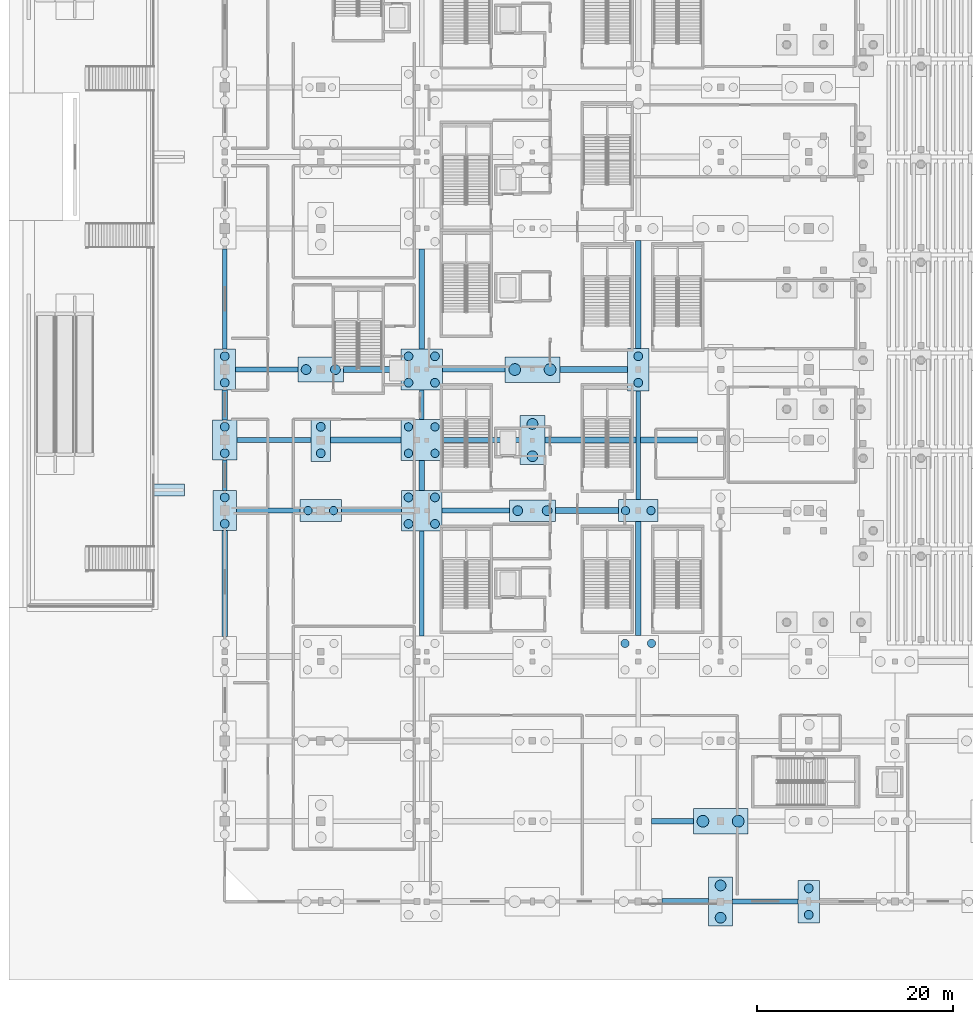
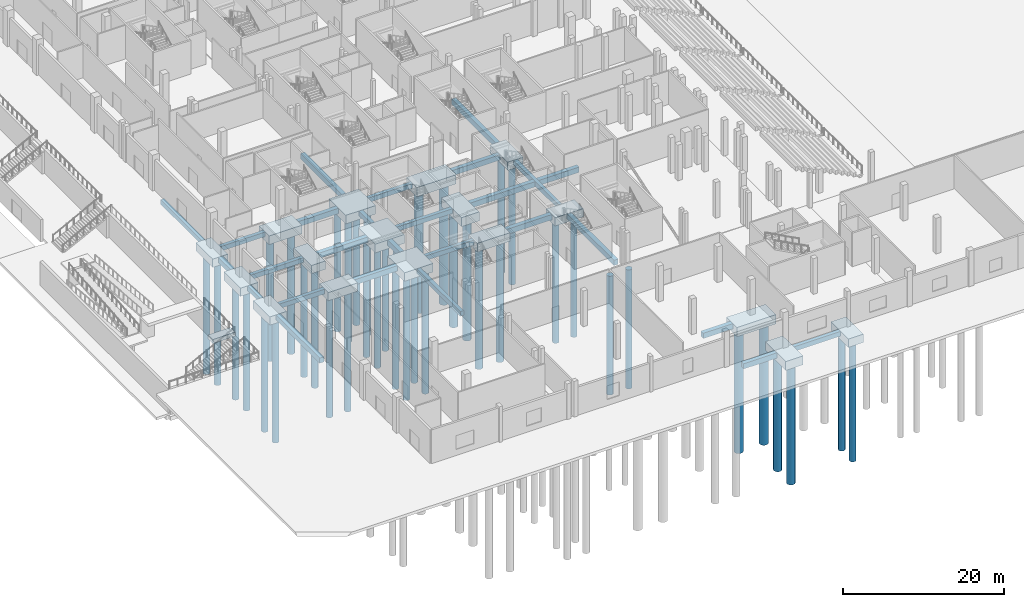
# One storey, part 2 of 89: 44 footings, 42 piles.
"""IFC4 building model written with IfcOpenShell, lengths in metres."""

import ifcopenshell
import ifcopenshell.guid

model = None  # the IFC model being written
_history = None  # IfcOwnerHistory: only IFC2X3 demands one
_inside = {}  # id of a spatial element -> (the spatial element, [elements in it])
_under = {}  # id of a project, library or spatial element -> (it, [spatial elements below it])
_declared = {}  # id of a project -> (the project, [libraries it declares])
_typed = {}  # id of a type object -> (the type object, [elements of that type])
_made_of = {}  # id of a material, layer set ... -> (it, [elements and type objects made of it])


def new_model(schema):
    """Start an empty IFC model of exactly this schema.

    Asked for "IFC4X3", IfcOpenShell would pick the latest addendum, in which some entities
    have other attributes; the version numbers below select the first issue.
    IFC2X3 requires an IfcOwnerHistory on every rooted entity: one is made here for all.
    """
    global model, _history
    if schema == "IFC4X3":
        model = ifcopenshell.file(schema_version=(4, 3, 0, 0))
    else:
        model = ifcopenshell.file(schema=schema)
    _inside.clear()
    _under.clear()
    _declared.clear()
    _typed.clear()
    _made_of.clear()
    _history = None
    if model.schema == "IFC2X3":
        org = make("IfcOrganization", Name="unknown")
        user = make(
            "IfcPersonAndOrganization",
            ThePerson=make("IfcPerson", FamilyName="unknown"),
            TheOrganization=org,
        )
        app = make(
            "IfcApplication",
            ApplicationDeveloper=org,
            Version="unknown",
            ApplicationFullName="unknown",
            ApplicationIdentifier="unknown",
        )
        _history = make(
            "IfcOwnerHistory",
            OwningUser=user,
            OwningApplication=app,
            ChangeAction="ADDED",
            CreationDate=0,
        )
    return model


def make(cls, **values):
    """One entity of the class cls with the attributes given. An attribute that is None is left unset."""
    return model.create_entity(
        cls, **{name: value for name, value in values.items() if value is not None}
    )


def rooted(cls, **values):
    """An entity with a GlobalId (a new one), such as an element, a storey or a relation."""
    return make(cls, GlobalId=ifcopenshell.guid.new(), OwnerHistory=_history, **values)


def si_unit(unit_type, name, prefix=None):
    """IfcSIUnit, for example si_unit("LENGTHUNIT", "METRE", prefix="MILLI")."""
    return make("IfcSIUnit", UnitType=unit_type, Prefix=prefix, Name=name)


def assignment(units):
    """IfcUnitAssignment: the units of a project."""
    return None if units is None else make("IfcUnitAssignment", Units=units)


def point(xyz):
    """IfcCartesianPoint."""
    return None if xyz is None else make("IfcCartesianPoint", Coordinates=xyz)


def direction(xyz):
    """IfcDirection."""
    return None if xyz is None else make("IfcDirection", DirectionRatios=xyz)


def frame(location, z_axis=None, x_axis=None):
    """IfcAxis2Placement3D, a coordinate frame: its origin and axes. An axis left out is left unset."""
    return make(
        "IfcAxis2Placement3D",
        Location=point(location),
        Axis=direction(z_axis),
        RefDirection=direction(x_axis),
    )


def frame_2d(location, x_axis=None):
    """IfcAxis2Placement2D, a coordinate frame in the plane: its origin and x axis."""
    return make(
        "IfcAxis2Placement2D", Location=point(location), RefDirection=direction(x_axis)
    )


def origin():
    """The frame at (0, 0, 0) with its axes left unset."""
    return frame((0.0, 0.0, 0.0))


def origin_2d():
    """The frame at (0, 0) in the plane with its x axis left unset."""
    return frame_2d((0.0, 0.0))


def place(relative_to, where):
    """IfcLocalPlacement: puts the frame where relative to a parent placement (None: the world)."""
    return make(
        "IfcLocalPlacement", PlacementRelTo=relative_to, RelativePlacement=where
    )


def context(
    kind, dimensions, precision=None, world=None, true_north=None, identifier=None
):
    """IfcGeometricRepresentationContext, for example the 3D "Model" context."""
    return make(
        "IfcGeometricRepresentationContext",
        ContextIdentifier=identifier,
        ContextType=kind,
        CoordinateSpaceDimension=dimensions,
        Precision=precision,
        WorldCoordinateSystem=world,
        TrueNorth=true_north,
    )


def subcontext(parent, identifier, kind, view, scale=None):
    """IfcGeometricRepresentationSubContext, for example "Body" below "Model"."""
    return make(
        "IfcGeometricRepresentationSubContext",
        ContextIdentifier=identifier,
        ContextType=kind,
        ParentContext=parent,
        TargetScale=scale,
        TargetView=view,
    )


def project(units=None, contexts=None):
    """IfcProject with its units and contexts."""
    return rooted(
        "IfcProject",
        Name="project",
        RepresentationContexts=contexts,
        UnitsInContext=assignment(units),
    )


def spatial(cls, under=None, at=None, **own):
    """A site, building, storey or space (cls), placed at a placement, below another one or the project."""
    s = rooted(cls, ObjectPlacement=at, **own)
    if under is not None:
        _under.setdefault(under.id(), (under, []))[1].append(s)
    return s


def profile(cls, at=None, kind="AREA", **sizes):
    """A parametric profile (cls). Its sizes go by their IFC names, for example OverallWidth=200.0."""
    return make(cls, ProfileType=kind, Position=at, **sizes)


def rectangle(**sizes):
    """IfcRectangleProfileDef."""
    return profile("IfcRectangleProfileDef", **sizes)


def circle(**sizes):
    """IfcCircleProfileDef."""
    return profile("IfcCircleProfileDef", **sizes)


def extrude(swept, where, along, depth):
    """IfcExtrudedAreaSolid: the profile swept, set in the frame where, extruded along a direction by depth."""
    return make(
        "IfcExtrudedAreaSolid",
        SweptArea=swept,
        Position=where,
        ExtrudedDirection=direction(along),
        Depth=depth,
    )


def shape(context_of_items, identifier, shape_type, items):
    """IfcShapeRepresentation: the items that make up one representation, for example the "Body"."""
    return make(
        "IfcShapeRepresentation",
        ContextOfItems=context_of_items,
        RepresentationIdentifier=identifier,
        RepresentationType=shape_type,
        Items=items,
    )


def material(Name=None, Category=None):
    """IfcMaterial."""
    return make("IfcMaterial", Name=Name, Category=Category)


def material_profile(
    of_material, cross_section, Name=None, Category=None, Priority=None
):
    """IfcMaterialProfile: a cross section and its material."""
    return make(
        "IfcMaterialProfile",
        Name=Name,
        Material=of_material,
        Profile=cross_section,
        Priority=Priority,
        Category=Category,
    )


def profile_set(profiles, Name=None, composite=None):
    """IfcMaterialProfileSet."""
    return make(
        "IfcMaterialProfileSet",
        Name=Name,
        MaterialProfiles=profiles,
        CompositeProfile=composite,
    )


def made_of(thing, what):
    """Note that an element or type object is made of a material, layer set ...; save() writes the relation."""
    if what is not None:
        _made_of.setdefault(what.id(), (what, []))[1].append(thing)
    return thing


def type_object(cls, material=None, **own):
    """A type object (cls), such as IfcWallType, which elements share."""
    return made_of(rooted(cls, **own), material)


def element(
    cls,
    number,
    at=None,
    inside=None,
    cuts=None,
    type_object=None,
    material=None,
    context=None,
    identifier="Body",
    shape_type=None,
    held_by="IfcProductDefinitionShape",
    body=None,
    shapes=None,
    **own,
):
    """One element of the class cls, such as IfcWall. Its Tag is "e" and its number.

    at: its placement. inside: the storey or other place that contains it. cuts: it is an
    opening in that element (IfcRelVoidsElement). A single representation is given by context,
    identifier, shape_type and body (its items); several are given by shapes. held_by: the class
    of the entity that holds the representations. save() writes the other relations.
    """
    e = rooted(cls, Tag="e%d" % number, ObjectPlacement=at, **own)
    if body is not None:
        shapes = [shape(context, identifier, shape_type, body)]
    if shapes is not None:
        e.Representation = make(held_by, Representations=shapes)
    if inside is not None:
        _inside.setdefault(inside.id(), (inside, []))[1].append(e)
    if cuts is not None:
        rooted(
            "IfcRelVoidsElement", RelatingBuildingElement=cuts, RelatedOpeningElement=e
        )
    if type_object is not None:
        _typed.setdefault(type_object.id(), (type_object, []))[1].append(e)
    return made_of(e, material)


def aggregate(whole, parts):
    """IfcRelAggregates: a whole, such as a stair, and the parts it consists of."""
    return rooted("IfcRelAggregates", RelatingObject=whole, RelatedObjects=parts)


def save(model, path):
    """Write the relations noted so far, then the file.

    IfcRelAggregates (storeys below a building ...), IfcRelContainedInSpatialStructure (elements
    in a storey), IfcRelDefinesByType, IfcRelAssociatesMaterial and IfcRelDeclares: one each for
    every whole, place, type object, material and project.
    """
    for whole, parts in _under.values():
        aggregate(whole, parts)
    for where, things in _inside.values():
        rooted(
            "IfcRelContainedInSpatialStructure",
            RelatedElements=things,
            RelatingStructure=where,
        )
    for kind, things in _typed.values():
        rooted("IfcRelDefinesByType", RelatedObjects=things, RelatingType=kind)
    for what, things in _made_of.values():
        rooted("IfcRelAssociatesMaterial", RelatedObjects=things, RelatingMaterial=what)
    for by, libraries in _declared.values():
        rooted("IfcRelDeclares", RelatingContext=by, RelatedDefinitions=libraries)
    model.write(path)


model = new_model("IFC4")

# Units and contexts
model_context = context("Model", 3, precision=1e-05, world=origin(), true_north=direction((0.0, 1.0)))
body_context = subcontext(model_context, "Body", "Model", "MODEL_VIEW")
ifc_project = project(units=[si_unit("LENGTHUNIT", "METRE"), si_unit("AREAUNIT", "SQUARE_METRE"), si_unit("VOLUMEUNIT", "CUBIC_METRE"), si_unit("PLANEANGLEUNIT", "RADIAN"), si_unit("MASSUNIT", "GRAM", prefix="KILO")], contexts=[model_context])

# Site, building, storey
site_placement = place(None, origin())
site = spatial("IfcSite", under=ifc_project, at=site_placement, CompositionType="ELEMENT")
building_placement = place(site_placement, origin())
building = spatial("IfcBuilding", under=site, at=building_placement, Name="Koshinbarg Plaza Stadium", CompositionType="ELEMENT")
storey_placement = place(building_placement, origin())
storey = spatial("IfcBuildingStorey", under=building, at=storey_placement, Name="L00", CompositionType="ELEMENT", Elevation=0.0)

# Footings
ifc_material = material(Name="Concrete C35/45", Category="concrete")
ifc_material_profile_1 = material_profile(ifc_material, rectangle(XDim=0.5, YDim=0.699951171875, at=origin_2d()), Name="GB 500x700")
ifc_profile_set_1 = profile_set([ifc_material_profile_1], Name="Concrete C35/45")
footing_type_1 = type_object("IfcFootingType", Name="FT-GB-01", PredefinedType="FOOTING_BEAM", material=ifc_profile_set_1)
footing_1_placement = place(storey_placement, frame((55.840087890625, 0.0, -0.75), z_axis=(1.0, 0.0, 0.0), x_axis=(0.0, 1.0, 0.0)))
element("IfcFooting", 1, at=footing_1_placement, inside=storey, type_object=footing_type_1, Name="Ground footing beam GB-X-005", PredefinedType="FOOTING_BEAM", context=body_context, shape_type="SweptSolid", body=[
    extrude(rectangle(XDim=0.5, YDim=0.699951171875, at=origin_2d()), origin(), (0.0, 0.0, 1.0), 6.679931640625),
])
footing_2_placement = place(storey_placement, frame((5.219970703125, 39.89990234375, -0.75), z_axis=(1.0, 0.0, 0.0), x_axis=(0.0, 1.0, 0.0)))
element("IfcFooting", 2, at=footing_2_placement, inside=storey, type_object=footing_type_1, Name="Ground footing beam GB-X-061", PredefinedType="FOOTING_BEAM", context=body_context, shape_type="SweptSolid", body=[
    extrude(rectangle(XDim=0.5, YDim=0.699951171875, at=origin_2d()), origin(), (0.0, 0.0, 1.0), 6.469970703125),
])
footing_3_placement = place(storey_placement, frame((26.14990234375, 39.89990234375, -0.800048828125), z_axis=(1.0, 0.0, 0.0), x_axis=(0.0, 1.0, 0.0)))
element("IfcFooting", 3, at=footing_3_placement, inside=storey, type_object=footing_type_1, Name="Ground footing beam GB-X-063", PredefinedType="FOOTING_BEAM", context=body_context, shape_type="SweptSolid", body=[
    extrude(rectangle(XDim=0.5, YDim=0.699951171875, at=origin_2d()), origin(), (0.0, 0.0, 1.0), 6.91015625),
])
footing_4_placement = place(storey_placement, frame((5.260009765625, 47.10009765625, -0.75), z_axis=(1.0, 0.0, 0.0), x_axis=(0.0, 1.0, 0.0)))
element("IfcFooting", 4, at=footing_4_placement, inside=storey, type_object=footing_type_1, Name="Ground footing beam GB-X-071", PredefinedType="FOOTING_BEAM", context=body_context, shape_type="SweptSolid", body=[
    extrude(rectangle(XDim=0.5, YDim=0.699951171875, at=origin_2d()), origin(), (0.0, 0.0, 1.0), 7.5400390625),
])
footing_5_placement = place(storey_placement, frame((26.18994140625, 47.10009765625, -0.800048828125), z_axis=(1.0, 0.0, 0.0), x_axis=(0.0, 1.0, 0.0)))
element("IfcFooting", 5, at=footing_5_placement, inside=storey, type_object=footing_type_1, Name="Ground footing beam GB-X-073", PredefinedType="FOOTING_BEAM", context=body_context, shape_type="SweptSolid", body=[
    extrude(rectangle(XDim=0.5, YDim=0.699951171875, at=origin_2d()), origin(), (0.0, 0.0, 1.0), 7.93017578125),
])
footing_6_placement = place(storey_placement, frame((5.10009765625, 54.300048828125, -0.75), z_axis=(1.0, 0.0, 0.0), x_axis=(0.0, 1.0, 0.0)))
element("IfcFooting", 6, at=footing_6_placement, inside=storey, type_object=footing_type_1, Name="Ground footing beam GB-X-079", PredefinedType="FOOTING_BEAM", context=body_context, shape_type="SweptSolid", body=[
    extrude(rectangle(XDim=0.5, YDim=0.699951171875, at=origin_2d()), origin(), (0.0, 0.0, 1.0), 6.35986328125),
])
footing_7_placement = place(storey_placement, frame((26.22998046875, 54.300048828125, -0.800048828125), z_axis=(1.0, 0.0, 0.0), x_axis=(0.0, 1.0, 0.0)))
element("IfcFooting", 7, at=footing_7_placement, inside=storey, type_object=footing_type_1, Name="Ground footing beam GB-X-081", PredefinedType="FOOTING_BEAM", context=body_context, shape_type="SweptSolid", body=[
    extrude(rectangle(XDim=0.5, YDim=0.699951171875, at=origin_2d()), origin(), (0.0, 0.0, 1.0), 6.35009765625),
])
footing_8_placement = place(storey_placement, frame((4.0, 41.949951171875, -0.75), z_axis=(0.0, 1.0, 0.0), x_axis=(-1.0, 0.0, 0.0)))
element("IfcFooting", 8, at=footing_8_placement, inside=storey, type_object=footing_type_1, Name="Ground footing beam GB-Y-193", PredefinedType="FOOTING_BEAM", context=body_context, shape_type="SweptSolid", body=[
    extrude(rectangle(XDim=0.5, YDim=0.699951171875, at=origin_2d()), origin(), (0.0, 0.0, 1.0), 3.10009765625),
])
footing_9_placement = place(storey_placement, frame((4.0, 56.389892578125, -0.75), z_axis=(0.0, 1.0, 0.0), x_axis=(-1.0, 0.0, 0.0)))
element("IfcFooting", 9, at=footing_9_placement, inside=storey, type_object=footing_type_1, Name="Ground footing beam GB-Y-195", PredefinedType="FOOTING_BEAM", context=body_context, shape_type="SweptSolid", body=[
    extrude(rectangle(XDim=0.5, YDim=0.699951171875, at=origin_2d()), origin(), (0.0, 0.0, 1.0), 10.22021484375),
])
footing_10_placement = place(storey_placement, frame((24.10009765625, 27.090087890625, -0.800048828125), z_axis=(0.0, 1.0, 0.0), x_axis=(-1.0, 0.0, 0.0)))
element("IfcFooting", 10, at=footing_10_placement, inside=storey, type_object=footing_type_1, Name="Ground footing beam GB-Y-207", PredefinedType="FOOTING_BEAM", context=body_context, shape_type="SweptSolid", body=[
    extrude(rectangle(XDim=0.5, YDim=0.699951171875, at=origin_2d()), origin(), (0.0, 0.0, 1.0), 10.72998046875),
])
footing_11_placement = place(storey_placement, frame((24.10009765625, 49.179931640625, -0.800048828125), z_axis=(0.0, 1.0, 0.0), x_axis=(-1.0, 0.0, 0.0)))
element("IfcFooting", 11, at=footing_11_placement, inside=storey, type_object=footing_type_1, Name="Ground footing beam GB-Y-209", PredefinedType="FOOTING_BEAM", context=body_context, shape_type="SweptSolid", body=[
    extrude(rectangle(XDim=0.5, YDim=0.699951171875, at=origin_2d()), origin(), (0.0, 0.0, 1.0), 3.0400390625),
])
footing_12_placement = place(storey_placement, frame((46.199951171875, 41.02001953125, -0.800048828125), z_axis=(0.0, 1.0, 0.0), x_axis=(-1.0, 0.0, 0.0)))
element("IfcFooting", 12, at=footing_12_placement, inside=storey, type_object=footing_type_1, Name="Ground footing beam GB-Y-223", PredefinedType="FOOTING_BEAM", context=body_context, shape_type="SweptSolid", body=[
    extrude(rectangle(XDim=0.5, YDim=0.699951171875, at=origin_2d()), origin(), (0.0, 0.0, 1.0), 11.10986328125),
])
ifc_material_profile_2 = material_profile(ifc_material, rectangle(XDim=0.60009765625, YDim=0.800048828125, at=origin_2d()), Name="GB 600x800")
ifc_profile_set_2 = profile_set([ifc_material_profile_2], Name="Concrete C35/45")
footing_type_2 = type_object("IfcFootingType", Name="FT-GB-02", PredefinedType="FOOTING_BEAM", material=ifc_profile_set_2)
footing_13_placement = place(storey_placement, frame((48.6201171875, 0.0, -0.800048828125), z_axis=(1.0, 0.0, 0.0), x_axis=(0.0, 1.0, 0.0)))
element("IfcFooting", 13, at=footing_13_placement, inside=storey, type_object=footing_type_2, Name="Ground footing beam GB-X-004", PredefinedType="FOOTING_BEAM", context=body_context, shape_type="SweptSolid", body=[
    extrude(rectangle(XDim=0.60009765625, YDim=0.800048828125, at=origin_2d()), origin(), (0.0, 0.0, 1.0), 4.739990234375),
])
footing_14_placement = place(storey_placement, frame((47.56005859375, 8.199951171875, -0.800048828125), z_axis=(1.0, 0.0, 0.0), x_axis=(0.0, 1.0, 0.0)))
element("IfcFooting", 14, at=footing_14_placement, inside=storey, type_object=footing_type_2, Name="Ground footing beam GB-X-020", PredefinedType="FOOTING_BEAM", context=body_context, shape_type="SweptSolid", body=[
    extrude(rectangle(XDim=0.60009765625, YDim=0.800048828125, at=origin_2d()), origin(), (0.0, 0.0, 1.0), 4.260009765625),
])
footing_15_placement = place(storey_placement, frame((15.909912109375, 39.89990234375, -0.85009765625), z_axis=(1.0, 0.0, 0.0), x_axis=(0.0, 1.0, 0.0)))
element("IfcFooting", 15, at=footing_15_placement, inside=storey, type_object=footing_type_2, Name="Ground footing beam GB-X-062", PredefinedType="FOOTING_BEAM", context=body_context, shape_type="SweptSolid", body=[
    extrude(rectangle(XDim=0.60009765625, YDim=0.800048828125, at=origin_2d()), origin(), (0.0, 0.0, 1.0), 6.14013671875),
])
footing_16_placement = place(storey_placement, frame((37.739990234375, 39.89990234375, -0.85009765625), z_axis=(1.0, 0.0, 0.0), x_axis=(0.0, 1.0, 0.0)))
element("IfcFooting", 16, at=footing_16_placement, inside=storey, type_object=footing_type_2, Name="Ground footing beam GB-X-064", PredefinedType="FOOTING_BEAM", context=body_context, shape_type="SweptSolid", body=[
    extrude(rectangle(XDim=0.60009765625, YDim=0.800048828125, at=origin_2d()), origin(), (0.0, 0.0, 1.0), 6.429931640625),
])
footing_17_placement = place(storey_placement, frame((14.800048828125, 47.10009765625, -0.85009765625), z_axis=(1.0, 0.0, 0.0), x_axis=(0.0, 1.0, 0.0)))
element("IfcFooting", 17, at=footing_17_placement, inside=storey, type_object=footing_type_2, Name="Ground footing beam GB-X-072", PredefinedType="FOOTING_BEAM", context=body_context, shape_type="SweptSolid", body=[
    extrude(rectangle(XDim=0.60009765625, YDim=0.800048828125, at=origin_2d()), origin(), (0.0, 0.0, 1.0), 7.2099609375),
])
footing_18_placement = place(storey_placement, frame((36.679931640625, 47.10009765625, -0.85009765625), z_axis=(1.0, 0.0, 0.0), x_axis=(0.0, 1.0, 0.0)))
element("IfcFooting", 18, at=footing_18_placement, inside=storey, type_object=footing_type_2, Name="Ground footing beam GB-X-074", PredefinedType="FOOTING_BEAM", context=body_context, shape_type="SweptSolid", body=[
    extrude(rectangle(XDim=0.60009765625, YDim=0.800048828125, at=origin_2d()), origin(), (0.0, 0.0, 1.0), 15.580078125),
])
footing_19_placement = place(storey_placement, frame((16.139892578125, 54.300048828125, -0.85009765625), z_axis=(1.0, 0.0, 0.0), x_axis=(0.0, 1.0, 0.0)))
element("IfcFooting", 19, at=footing_19_placement, inside=storey, type_object=footing_type_2, Name="Ground footing beam GB-X-080", PredefinedType="FOOTING_BEAM", context=body_context, shape_type="SweptSolid", body=[
    extrude(rectangle(XDim=0.60009765625, YDim=0.800048828125, at=origin_2d()), origin(), (0.0, 0.0, 1.0), 5.830078125),
])
footing_20_placement = place(storey_placement, frame((38.219970703125, 54.300048828125, -0.85009765625), z_axis=(1.0, 0.0, 0.0), x_axis=(0.0, 1.0, 0.0)))
element("IfcFooting", 20, at=footing_20_placement, inside=storey, type_object=footing_type_2, Name="Ground footing beam GB-X-082", PredefinedType="FOOTING_BEAM", context=body_context, shape_type="SweptSolid", body=[
    extrude(rectangle(XDim=0.60009765625, YDim=0.800048828125, at=origin_2d()), origin(), (0.0, 0.0, 1.0), 6.860107421875),
])
footing_21_placement = place(storey_placement, frame((4.0, 27.050048828125, -0.800048828125), z_axis=(0.0, 1.0, 0.0), x_axis=(-1.0, 0.0, 0.0)))
element("IfcFooting", 21, at=footing_21_placement, inside=storey, type_object=footing_type_2, Name="Ground footing beam GB-Y-192", PredefinedType="FOOTING_BEAM", context=body_context, shape_type="SweptSolid", body=[
    extrude(rectangle(XDim=0.60009765625, YDim=0.800048828125, at=origin_2d()), origin(), (0.0, 0.0, 1.0), 10.800048828125),
])
footing_22_placement = place(storey_placement, frame((4.0, 49.14990234375, -0.800048828125), z_axis=(0.0, 1.0, 0.0), x_axis=(-1.0, 0.0, 0.0)))
element("IfcFooting", 22, at=footing_22_placement, inside=storey, type_object=footing_type_2, Name="Ground footing beam GB-Y-194", PredefinedType="FOOTING_BEAM", context=body_context, shape_type="SweptSolid", body=[
    extrude(rectangle(XDim=0.60009765625, YDim=0.800048828125, at=origin_2d()), origin(), (0.0, 0.0, 1.0), 3.06005859375),
])
footing_23_placement = place(storey_placement, frame((24.10009765625, 41.97998046875, -0.85009765625), z_axis=(0.0, 1.0, 0.0), x_axis=(-1.0, 0.0, 0.0)))
element("IfcFooting", 23, at=footing_23_placement, inside=storey, type_object=footing_type_2, Name="Ground footing beam GB-Y-208", PredefinedType="FOOTING_BEAM", context=body_context, shape_type="SweptSolid", body=[
    extrude(rectangle(XDim=0.60009765625, YDim=0.800048828125, at=origin_2d()), origin(), (0.0, 0.0, 1.0), 3.0400390625),
])
footing_24_placement = place(storey_placement, frame((24.10009765625, 56.3798828125, -0.85009765625), z_axis=(0.0, 1.0, 0.0), x_axis=(-1.0, 0.0, 0.0)))
element("IfcFooting", 24, at=footing_24_placement, inside=storey, type_object=footing_type_2, Name="Ground footing beam GB-Y-210", PredefinedType="FOOTING_BEAM", context=body_context, shape_type="SweptSolid", body=[
    extrude(rectangle(XDim=0.60009765625, YDim=0.800048828125, at=origin_2d()), origin(), (0.0, 0.0, 1.0), 10.240234375),
])
footing_25_placement = place(storey_placement, frame((46.199951171875, 27.169921875, -0.85009765625), z_axis=(0.0, 1.0, 0.0), x_axis=(-1.0, 0.0, 0.0)))
element("IfcFooting", 25, at=footing_25_placement, inside=storey, type_object=footing_type_2, Name="Ground footing beam GB-Y-222", PredefinedType="FOOTING_BEAM", context=body_context, shape_type="SweptSolid", body=[
    extrude(rectangle(XDim=0.60009765625, YDim=0.800048828125, at=origin_2d()), origin(), (0.0, 0.0, 1.0), 11.610107421875),
])
footing_26_placement = place(storey_placement, frame((46.199951171875, 56.469970703125, -0.85009765625), z_axis=(0.0, 1.0, 0.0), x_axis=(-1.0, 0.0, 0.0)))
element("IfcFooting", 26, at=footing_26_placement, inside=storey, type_object=footing_type_2, Name="Ground footing beam GB-Y-224", PredefinedType="FOOTING_BEAM", context=body_context, shape_type="SweptSolid", body=[
    extrude(rectangle(XDim=0.60009765625, YDim=0.800048828125, at=origin_2d()), origin(), (0.0, 0.0, 1.0), 11.010009765625),
])
footing_type_3 = type_object("IfcFootingType", Name="FT-PC-200x442x125", PredefinedType="PILE_CAP", material=ifc_material)
footing_27_placement = place(storey_placement, frame((13.800048828125, 47.10009765625, -1.64990234375), z_axis=(0.0, 0.0, 1.0), x_axis=(1.0, 0.0, 0.0)))
element("IfcFooting", 27, at=footing_27_placement, inside=storey, type_object=footing_type_3, Name="Bored pile cap CAP-021", PredefinedType="PILE_CAP", context=body_context, shape_type="SweptSolid", body=[
    extrude(rectangle(XDim=2.0, YDim=4.419921875, at=origin_2d()), origin(), (0.0, 0.0, 1.0), 1.25),
])
footing_type_4 = type_object("IfcFootingType", Name="FT-PC-216x434x125", PredefinedType="PILE_CAP", material=ifc_material)
footing_28_placement = place(storey_placement, frame((63.60009765625, 0.0, -1.64990234375), z_axis=(0.0, 0.0, 1.0), x_axis=(1.0, 0.0, 0.0)))
element("IfcFooting", 28, at=footing_28_placement, inside=storey, type_object=footing_type_4, Name="Bored pile cap CAP-093", PredefinedType="PILE_CAP", context=body_context, shape_type="SweptSolid", body=[
    extrude(rectangle(XDim=2.159912109375, YDim=4.340087890625, at=origin_2d()), origin(), (0.0, 0.0, 1.0), 1.25),
])
footing_type_5 = type_object("IfcFootingType", Name="FT-PC-220x418x125", PredefinedType="PILE_CAP", material=ifc_material)
footing_29_placement = place(storey_placement, frame((4.0, 54.300048828125, -1.64990234375), z_axis=(0.0, 0.0, 1.0), x_axis=(1.0, 0.0, 0.0)))
element("IfcFooting", 29, at=footing_29_placement, inside=storey, type_object=footing_type_5, Name="Bored pile cap CAP-006", PredefinedType="PILE_CAP", context=body_context, shape_type="SweptSolid", body=[
    extrude(rectangle(XDim=2.199951171875, YDim=4.179931640625, at=origin_2d()), origin(), (0.0, 0.0, 1.0), 1.25),
])
footing_type_6 = type_object("IfcFootingType", Name="FT-PC-224x434x125", PredefinedType="PILE_CAP", material=ifc_material)
footing_30_placement = place(storey_placement, frame((46.199951171875, 54.300048828125, -1.699951171875), z_axis=(0.0, 0.0, 1.0), x_axis=(1.0, 0.0, 0.0)))
element("IfcFooting", 30, at=footing_30_placement, inside=storey, type_object=footing_type_6, Name="Bored pile cap CAP-069", PredefinedType="PILE_CAP", context=body_context, shape_type="SweptSolid", body=[
    extrude(rectangle(XDim=2.239990234375, YDim=4.340087890625, at=origin_2d()), origin(), (0.0, 0.0, 1.0), 1.25),
])
footing_type_7 = type_object("IfcFootingType", Name="FT-PC-244x410x125", PredefinedType="PILE_CAP", material=ifc_material)
footing_31_placement = place(storey_placement, frame((4.0, 39.89990234375, -1.64990234375), z_axis=(0.0, 0.0, 1.0), x_axis=(1.0, 0.0, 0.0)))
element("IfcFooting", 31, at=footing_31_placement, inside=storey, type_object=footing_type_7, Name="Bored pile cap CAP-004", PredefinedType="PILE_CAP", context=body_context, shape_type="SweptSolid", body=[
    extrude(rectangle(XDim=2.43994140625, YDim=4.10009765625, at=origin_2d()), origin(), (0.0, 0.0, 1.0), 1.25),
])
footing_type_8 = type_object("IfcFootingType", Name="FT-PC-248x500x135", PredefinedType="PILE_CAP", material=ifc_material)
footing_32_placement = place(storey_placement, frame((54.60009765625, 0.0, -1.75), z_axis=(0.0, 0.0, 1.0), x_axis=(1.0, 0.0, 0.0)))
element("IfcFooting", 32, at=footing_32_placement, inside=storey, type_object=footing_type_8, Name="Bored pile cap CAP-077", PredefinedType="PILE_CAP", context=body_context, shape_type="SweptSolid", body=[
    extrude(rectangle(XDim=2.47998046875, YDim=5.0, at=origin_2d()), origin(), (0.0, 0.0, 1.0), 1.35009765625),
])
footing_type_9 = type_object("IfcFootingType", Name="FT-PC-252x410x125", PredefinedType="PILE_CAP", material=ifc_material)
footing_33_placement = place(storey_placement, frame((4.0, 47.10009765625, -1.64990234375), z_axis=(0.0, 0.0, 1.0), x_axis=(1.0, 0.0, 0.0)))
element("IfcFooting", 33, at=footing_33_placement, inside=storey, type_object=footing_type_9, Name="Bored pile cap CAP-005", PredefinedType="PILE_CAP", context=body_context, shape_type="SweptSolid", body=[
    extrude(rectangle(XDim=2.52001953125, YDim=4.10009765625, at=origin_2d()), origin(), (0.0, 0.0, 1.0), 1.25),
])
footing_type_10 = type_object("IfcFootingType", Name="FT-PC-256x500x135", PredefinedType="PILE_CAP", material=ifc_material)
footing_34_placement = place(storey_placement, frame((35.39990234375, 47.10009765625, -1.800048828125), z_axis=(0.0, 0.0, 1.0), x_axis=(1.0, 0.0, 0.0)))
element("IfcFooting", 34, at=footing_34_placement, inside=storey, type_object=footing_type_10, Name="Bored pile cap CAP-053", PredefinedType="PILE_CAP", context=body_context, shape_type="SweptSolid", body=[
    extrude(rectangle(XDim=2.56005859375, YDim=5.0, at=origin_2d()), origin(), (0.0, 0.0, 1.0), 1.35009765625),
])
footing_type_11 = type_object("IfcFootingType", Name="FT-PC-406x224x125", PredefinedType="PILE_CAP", material=ifc_material)
footing_35_placement = place(storey_placement, frame((46.199951171875, 39.89990234375, -1.699951171875), z_axis=(0.0, 0.0, 1.0), x_axis=(1.0, 0.0, 0.0)))
element("IfcFooting", 35, at=footing_35_placement, inside=storey, type_object=footing_type_11, Name="Bored pile cap CAP-068", PredefinedType="PILE_CAP", context=body_context, shape_type="SweptSolid", body=[
    extrude(rectangle(XDim=4.06005859375, YDim=2.239990234375, at=origin_2d()), origin(), (0.0, 0.0, 1.0), 1.25),
])
footing_type_12 = type_object("IfcFootingType", Name="FT-PC-410x416x130", PredefinedType="PILE_CAP", material=ifc_material)
footing_36_placement = place(storey_placement, frame((24.10009765625, 39.89990234375, -1.75), z_axis=(0.0, 0.0, 1.0), x_axis=(1.0, 0.0, 0.0)))
element("IfcFooting", 36, at=footing_36_placement, inside=storey, type_object=footing_type_12, Name="Bored pile cap CAP-036", PredefinedType="PILE_CAP", context=body_context, shape_type="SweptSolid", body=[
    extrude(rectangle(XDim=4.10009765625, YDim=4.159912109375, at=origin_2d()), origin(), (0.0, 0.0, 1.0), 1.300048828125),
])
footing_type_13 = type_object("IfcFootingType", Name="FT-PC-418x416x135", PredefinedType="PILE_CAP", material=ifc_material)
footing_37_placement = place(storey_placement, frame((24.10009765625, 47.10009765625, -1.800048828125), z_axis=(0.0, 0.0, 1.0), x_axis=(1.0, 0.0, 0.0)))
element("IfcFooting", 37, at=footing_37_placement, inside=storey, type_object=footing_type_13, Name="Bored pile cap CAP-037", PredefinedType="PILE_CAP", context=body_context, shape_type="SweptSolid", body=[
    extrude(rectangle(XDim=4.179931640625, YDim=4.159912109375, at=origin_2d()), origin(), (0.0, 0.0, 1.0), 1.35009765625),
])
footing_type_14 = type_object("IfcFootingType", Name="FT-PC-422x224x125", PredefinedType="PILE_CAP", material=ifc_material)
footing_38_placement = place(storey_placement, frame((13.800048828125, 39.89990234375, -1.64990234375), z_axis=(0.0, 0.0, 1.0), x_axis=(1.0, 0.0, 0.0)))
element("IfcFooting", 38, at=footing_38_placement, inside=storey, type_object=footing_type_14, Name="Bored pile cap CAP-020", PredefinedType="PILE_CAP", context=body_context, shape_type="SweptSolid", body=[
    extrude(rectangle(XDim=4.219970703125, YDim=2.239990234375, at=origin_2d()), origin(), (0.0, 0.0, 1.0), 1.25),
])
footing_type_15 = type_object("IfcFootingType", Name="FT-PC-426x416x130", PredefinedType="PILE_CAP", material=ifc_material)
footing_39_placement = place(storey_placement, frame((24.10009765625, 54.300048828125, -1.75), z_axis=(0.0, 0.0, 1.0), x_axis=(1.0, 0.0, 0.0)))
element("IfcFooting", 39, at=footing_39_placement, inside=storey, type_object=footing_type_15, Name="Bored pile cap CAP-038", PredefinedType="PILE_CAP", context=body_context, shape_type="SweptSolid", body=[
    extrude(rectangle(XDim=4.260009765625, YDim=4.159912109375, at=origin_2d()), origin(), (0.0, 0.0, 1.0), 1.300048828125),
])
footing_type_16 = type_object("IfcFootingType", Name="FT-PC-468x220x130", PredefinedType="PILE_CAP", material=ifc_material)
footing_40_placement = place(storey_placement, frame((35.39990234375, 39.89990234375, -1.75), z_axis=(0.0, 0.0, 1.0), x_axis=(1.0, 0.0, 0.0)))
element("IfcFooting", 40, at=footing_40_placement, inside=storey, type_object=footing_type_16, Name="Bored pile cap CAP-052", PredefinedType="PILE_CAP", context=body_context, shape_type="SweptSolid", body=[
    extrude(rectangle(XDim=4.679931640625, YDim=2.199951171875, at=origin_2d()), origin(), (0.0, 0.0, 1.0), 1.300048828125),
])
footing_type_17 = type_object("IfcFootingType", Name="FT-PC-468x252x130", PredefinedType="PILE_CAP", material=ifc_material)
footing_41_placement = place(storey_placement, frame((13.800048828125, 54.300048828125, -1.7001953125), z_axis=(0.0, 0.0, 1.0), x_axis=(1.0, 0.0, 0.0)))
element("IfcFooting", 41, at=footing_41_placement, inside=storey, type_object=footing_type_17, Name="Bored pile cap CAP-022", PredefinedType="PILE_CAP", context=body_context, shape_type="SweptSolid", body=[
    extrude(rectangle(XDim=4.679931640625, YDim=2.52001953125, at=origin_2d()), origin(), (0.0, 0.0, 1.0), 1.300048828125),
])
footing_type_18 = type_object("IfcFootingType", Name="FT-PC-556x260x140", PredefinedType="PILE_CAP", material=ifc_material)
footing_42_placement = place(storey_placement, frame((54.60009765625, 8.199951171875, -1.800048828125), z_axis=(0.0, 0.0, 1.0), x_axis=(1.0, 0.0, 0.0)))
element("IfcFooting", 42, at=footing_42_placement, inside=storey, type_object=footing_type_18, Name="Bored pile cap CAP-078", PredefinedType="PILE_CAP", context=body_context, shape_type="SweptSolid", body=[
    extrude(rectangle(XDim=5.56005859375, YDim=2.60009765625, at=origin_2d()), origin(), (0.0, 0.0, 1.0), 1.39990234375),
])
footing_type_19 = type_object("IfcFootingType", Name="FT-PC-564x260x140", PredefinedType="PILE_CAP", material=ifc_material)
footing_43_placement = place(storey_placement, frame((35.39990234375, 54.300048828125, -1.849853515625), z_axis=(0.0, 0.0, 1.0), x_axis=(1.0, 0.0, 0.0)))
element("IfcFooting", 43, at=footing_43_placement, inside=storey, type_object=footing_type_19, Name="Bored pile cap CAP-054", PredefinedType="PILE_CAP", context=body_context, shape_type="SweptSolid", body=[
    extrude(rectangle(XDim=5.639892578125, YDim=2.60009765625, at=origin_2d()), origin(), (0.0, 0.0, 1.0), 1.39990234375),
])
ifc_material_profile_3 = material_profile(ifc_material, rectangle(XDim=1.199951171875, YDim=0.60009765625, at=origin_2d()), Name="SF 1200x600")
ifc_profile_set_3 = profile_set([ifc_material_profile_3], Name="Concrete C35/45")
footing_type_20 = type_object("IfcFootingType", Name="FT-SF-1200x600", PredefinedType="STRIP_FOOTING", material=ifc_profile_set_3)
footing_44_placement = place(storey_placement, frame((-3.300048828125, 42.0, -4.14990234375), z_axis=(1.0, 0.0, 0.0), x_axis=(0.0, 1.0, 0.0)))
element("IfcFooting", 44, at=footing_44_placement, inside=storey, type_object=footing_type_20, Name="Forecourt rim buttress footing 42", PredefinedType="STRIP_FOOTING", context=body_context, shape_type="SweptSolid", body=[
    extrude(rectangle(XDim=1.199951171875, YDim=0.60009765625, at=origin_2d()), origin(), (0.0, 0.0, 1.0), 3.199951171875),
])

# Piles
ifc_material_profile_4 = material_profile(ifc_material, circle(Radius=0.5, at=origin_2d()), Name="PILE D1000")
ifc_profile_set_4 = profile_set([ifc_material_profile_4], Name="Concrete C35/45")
pile_type_1 = type_object("IfcPileType", Name="PL-D1000", PredefinedType="BORED", material=ifc_profile_set_4)
for number, where, z_axis, x_axis, name in (
    (45, (12.300048828125, 54.300048828125, -1.60009765625), (0.0, 0.0, -1.0), (1.0, 0.0, 0.0), "Bored pile CAP-022-1"),
    (46, (15.300048828125, 54.300048828125, -1.60009765625), (0.0, 0.0, -1.0), (1.0, 0.0, 0.0), "Bored pile CAP-022-2"),
    (47, (33.89990234375, 39.89990234375, -1.64990234375), (0.0, 0.0, -1.0), (1.0, 0.0, 0.0), "Bored pile CAP-052-1"),
    (48, (36.89990234375, 39.89990234375, -1.64990234375), (0.0, 0.0, -1.0), (1.0, 0.0, 0.0), "Bored pile CAP-052-2"),
):
    element("IfcPile", number, at=place(storey_placement, frame(where, z_axis=z_axis, x_axis=x_axis)), inside=storey, type_object=pile_type_1, Name=name, PredefinedType="BORED", context=body_context, shape_type="SweptSolid", body=[
        extrude(circle(Radius=0.5, at=origin_2d()), origin(), (0.0, 0.0, 1.0), 18.5),
    ])
ifc_material_profile_5 = material_profile(ifc_material, circle(Radius=0.550048828125, at=origin_2d()), Name="PILE D1100")
ifc_profile_set_5 = profile_set([ifc_material_profile_5], Name="Concrete C35/45")
pile_type_2 = type_object("IfcPileType", Name="PL-D1100", PredefinedType="BORED", material=ifc_profile_set_5)
for number, where, z_axis, x_axis, name in (
    (49, (35.39990234375, 45.449951171875, -1.699951171875), (0.0, 0.0, -1.0), (1.0, 0.0, 0.0), "Bored pile CAP-053-1"),
    (50, (35.39990234375, 48.75, -1.699951171875), (0.0, 0.0, -1.0), (1.0, 0.0, 0.0), "Bored pile CAP-053-2"),
    (51, (54.60009765625, -1.64990234375, -1.64990234375), (0.0, 0.0, -1.0), (1.0, 0.0, 0.0), "Bored pile CAP-077-1"),
    (52, (54.60009765625, 1.64990234375, -1.64990234375), (0.0, 0.0, -1.0), (1.0, 0.0, 0.0), "Bored pile CAP-077-2"),
):
    element("IfcPile", number, at=place(storey_placement, frame(where, z_axis=z_axis, x_axis=x_axis)), inside=storey, type_object=pile_type_2, Name=name, PredefinedType="BORED", context=body_context, shape_type="SweptSolid", body=[
        extrude(circle(Radius=0.550048828125, at=origin_2d()), origin(), (0.0, 0.0, 1.0), 18.0),
    ])
ifc_material_profile_6 = material_profile(ifc_material, circle(Radius=0.60009765625, at=origin_2d()), Name="PILE D1200")
ifc_profile_set_6 = profile_set([ifc_material_profile_6], Name="Concrete C35/45")
pile_type_3 = type_object("IfcPileType", Name="PL-D1200", PredefinedType="BORED", material=ifc_profile_set_6)
for number, where, z_axis, x_axis, name in (
    (53, (33.60009765625, 54.300048828125, -1.75), (0.0, 0.0, -1.0), (1.0, 0.0, 0.0), "Bored pile CAP-054-1"),
    (54, (37.199951171875, 54.300048828125, -1.75), (0.0, 0.0, -1.0), (1.0, 0.0, 0.0), "Bored pile CAP-054-2"),
    (55, (52.800048828125, 8.199951171875, -1.699951171875), (0.0, 0.0, -1.0), (1.0, 0.0, 0.0), "Bored pile CAP-078-1"),
    (56, (56.39990234375, 8.199951171875, -1.699951171875), (0.0, 0.0, -1.0), (1.0, 0.0, 0.0), "Bored pile CAP-078-2"),
):
    element("IfcPile", number, at=place(storey_placement, frame(where, z_axis=z_axis, x_axis=x_axis)), inside=storey, type_object=pile_type_3, Name=name, PredefinedType="BORED", context=body_context, shape_type="SweptSolid", body=[
        extrude(circle(Radius=0.60009765625, at=origin_2d()), origin(), (0.0, 0.0, 1.0), 18.5),
    ])
ifc_material_profile_7 = material_profile(ifc_material, circle(Radius=0.425048828125, at=origin_2d()), Name="PILE D850")
ifc_profile_set_7 = profile_set([ifc_material_profile_7], Name="Concrete C35/45")
pile_type_4 = type_object("IfcPileType", Name="PL-D850", PredefinedType="BORED", material=ifc_profile_set_7)
for number, where, z_axis, x_axis, name in (
    (57, (12.5, 39.89990234375, -1.550048828125), (0.0, 0.0, -1.0), (1.0, 0.0, 0.0), "Bored pile CAP-020-1"),
    (58, (15.10009765625, 39.89990234375, -1.550048828125), (0.0, 0.0, -1.0), (1.0, 0.0, 0.0), "Bored pile CAP-020-2"),
):
    element("IfcPile", number, at=place(storey_placement, frame(where, z_axis=z_axis, x_axis=x_axis)), inside=storey, type_object=pile_type_4, Name=name, PredefinedType="BORED", context=body_context, shape_type="SweptSolid", body=[
        extrude(circle(Radius=0.425048828125, at=origin_2d()), origin(), (0.0, 0.0, 1.0), 18.5),
    ])
for number, where, z_axis, x_axis, name in (
    (59, (22.75, 45.75, -1.699951171875), (0.0, 0.0, -1.0), (1.0, 0.0, 0.0), "Bored pile CAP-037-1"),
    (60, (25.449951171875, 45.75, -1.699951171875), (0.0, 0.0, -1.0), (1.0, 0.0, 0.0), "Bored pile CAP-037-2"),
    (61, (22.75, 48.449951171875, -1.699951171875), (0.0, 0.0, -1.0), (1.0, 0.0, 0.0), "Bored pile CAP-037-3"),
    (62, (25.449951171875, 48.449951171875, -1.699951171875), (0.0, 0.0, -1.0), (1.0, 0.0, 0.0), "Bored pile CAP-037-4"),
    (63, (44.85009765625, 26.35009765625, -1.699951171875), (0.0, 0.0, -1.0), (1.0, 0.0, 0.0), "Bored pile CAP-067-3"),
    (64, (47.550048828125, 26.35009765625, -1.699951171875), (0.0, 0.0, -1.0), (1.0, 0.0, 0.0), "Bored pile CAP-067-4"),
):
    element("IfcPile", number, at=place(storey_placement, frame(where, z_axis=z_axis, x_axis=x_axis)), inside=storey, type_object=pile_type_4, Name=name, PredefinedType="BORED", context=body_context, shape_type="SweptSolid", body=[
        extrude(circle(Radius=0.425048828125, at=origin_2d()), origin(), (0.0, 0.0, 1.0), 18.0),
    ])
for number, where, z_axis, x_axis, name in (
    (65, (44.89990234375, 39.89990234375, -1.60009765625), (0.0, 0.0, -1.0), (1.0, 0.0, 0.0), "Bored pile CAP-068-1"),
    (66, (47.5, 39.89990234375, -1.60009765625), (0.0, 0.0, -1.0), (1.0, 0.0, 0.0), "Bored pile CAP-068-2"),
):
    element("IfcPile", number, at=place(storey_placement, frame(where, z_axis=z_axis, x_axis=x_axis)), inside=storey, type_object=pile_type_4, Name=name, PredefinedType="BORED", context=body_context, shape_type="SweptSolid", body=[
        extrude(circle(Radius=0.425048828125, at=origin_2d()), origin(), (0.0, 0.0, 1.0), 18.5),
    ])
ifc_material_profile_8 = material_profile(ifc_material, circle(Radius=0.449951171875, at=origin_2d()), Name="PILE D900")
ifc_profile_set_8 = profile_set([ifc_material_profile_8], Name="Concrete C35/45")
pile_type_5 = type_object("IfcPileType", Name="PL-D900", PredefinedType="BORED", material=ifc_profile_set_8)
for number, where, z_axis, x_axis, name in (
    (67, (4.0, 38.550048828125, -1.550048828125), (0.0, 0.0, -1.0), (1.0, 0.0, 0.0), "Bored pile CAP-004-1"),
    (68, (4.0, 41.25, -1.550048828125), (0.0, 0.0, -1.0), (1.0, 0.0, 0.0), "Bored pile CAP-004-2"),
):
    element("IfcPile", number, at=place(storey_placement, frame(where, z_axis=z_axis, x_axis=x_axis)), inside=storey, type_object=pile_type_5, Name=name, PredefinedType="BORED", context=body_context, shape_type="SweptSolid", body=[
        extrude(circle(Radius=0.449951171875, at=origin_2d()), origin(), (0.0, 0.0, 1.0), 18.5),
    ])
for number, where, z_axis, x_axis, name in (
    (69, (4.0, 45.75, -1.550048828125), (0.0, 0.0, -1.0), (1.0, 0.0, 0.0), "Bored pile CAP-005-1"),
    (70, (4.0, 48.449951171875, -1.550048828125), (0.0, 0.0, -1.0), (1.0, 0.0, 0.0), "Bored pile CAP-005-2"),
):
    element("IfcPile", number, at=place(storey_placement, frame(where, z_axis=z_axis, x_axis=x_axis)), inside=storey, type_object=pile_type_5, Name=name, PredefinedType="BORED", context=body_context, shape_type="SweptSolid", body=[
        extrude(circle(Radius=0.449951171875, at=origin_2d()), origin(), (0.0, 0.0, 1.0), 18.0),
    ])
for number, where, z_axis, x_axis, name in (
    (71, (4.0, 52.949951171875, -1.550048828125), (0.0, 0.0, -1.0), (1.0, 0.0, 0.0), "Bored pile CAP-006-1"),
    (72, (4.0, 55.64990234375, -1.550048828125), (0.0, 0.0, -1.0), (1.0, 0.0, 0.0), "Bored pile CAP-006-2"),
):
    element("IfcPile", number, at=place(storey_placement, frame(where, z_axis=z_axis, x_axis=x_axis)), inside=storey, type_object=pile_type_5, Name=name, PredefinedType="BORED", context=body_context, shape_type="SweptSolid", body=[
        extrude(circle(Radius=0.449951171875, at=origin_2d()), origin(), (0.0, 0.0, 1.0), 18.5),
    ])
for number, where, z_axis, x_axis, name in (
    (73, (13.800048828125, 45.75, -1.550048828125), (0.0, 0.0, -1.0), (1.0, 0.0, 0.0), "Bored pile CAP-021-1"),
    (74, (13.800048828125, 48.449951171875, -1.550048828125), (0.0, 0.0, -1.0), (1.0, 0.0, 0.0), "Bored pile CAP-021-2"),
):
    element("IfcPile", number, at=place(storey_placement, frame(where, z_axis=z_axis, x_axis=x_axis)), inside=storey, type_object=pile_type_5, Name=name, PredefinedType="BORED", context=body_context, shape_type="SweptSolid", body=[
        extrude(circle(Radius=0.449951171875, at=origin_2d()), origin(), (0.0, 0.0, 1.0), 18.0),
    ])
for number, where, z_axis, x_axis, name in (
    (75, (22.75, 38.550048828125, -1.64990234375), (0.0, 0.0, -1.0), (1.0, 0.0, 0.0), "Bored pile CAP-036-1"),
    (76, (25.449951171875, 38.550048828125, -1.64990234375), (0.0, 0.0, -1.0), (1.0, 0.0, 0.0), "Bored pile CAP-036-2"),
    (77, (22.75, 41.25, -1.64990234375), (0.0, 0.0, -1.0), (1.0, 0.0, 0.0), "Bored pile CAP-036-3"),
    (78, (25.449951171875, 41.25, -1.64990234375), (0.0, 0.0, -1.0), (1.0, 0.0, 0.0), "Bored pile CAP-036-4"),
    (79, (22.75, 52.949951171875, -1.64990234375), (0.0, 0.0, -1.0), (1.0, 0.0, 0.0), "Bored pile CAP-038-1"),
    (80, (25.449951171875, 52.949951171875, -1.64990234375), (0.0, 0.0, -1.0), (1.0, 0.0, 0.0), "Bored pile CAP-038-2"),
    (81, (22.75, 55.64990234375, -1.64990234375), (0.0, 0.0, -1.0), (1.0, 0.0, 0.0), "Bored pile CAP-038-3"),
    (82, (25.449951171875, 55.64990234375, -1.64990234375), (0.0, 0.0, -1.0), (1.0, 0.0, 0.0), "Bored pile CAP-038-4"),
):
    element("IfcPile", number, at=place(storey_placement, frame(where, z_axis=z_axis, x_axis=x_axis)), inside=storey, type_object=pile_type_5, Name=name, PredefinedType="BORED", context=body_context, shape_type="SweptSolid", body=[
        extrude(circle(Radius=0.449951171875, at=origin_2d()), origin(), (0.0, 0.0, 1.0), 18.5),
    ])
for number, where, z_axis, x_axis, name in (
    (83, (46.199951171875, 52.949951171875, -1.60009765625), (0.0, 0.0, -1.0), (1.0, 0.0, 0.0), "Bored pile CAP-069-1"),
    (84, (46.199951171875, 55.64990234375, -1.60009765625), (0.0, 0.0, -1.0), (1.0, 0.0, 0.0), "Bored pile CAP-069-2"),
    (85, (63.60009765625, -1.35009765625, -1.550048828125), (0.0, 0.0, -1.0), (1.0, 0.0, 0.0), "Bored pile CAP-093-1"),
    (86, (63.60009765625, 1.35009765625, -1.550048828125), (0.0, 0.0, -1.0), (1.0, 0.0, 0.0), "Bored pile CAP-093-2"),
):
    element("IfcPile", number, at=place(storey_placement, frame(where, z_axis=z_axis, x_axis=x_axis)), inside=storey, type_object=pile_type_5, Name=name, PredefinedType="BORED", context=body_context, shape_type="SweptSolid", body=[
        extrude(circle(Radius=0.449951171875, at=origin_2d()), origin(), (0.0, 0.0, 1.0), 18.0),
    ])

save(model, "model.ifc")
